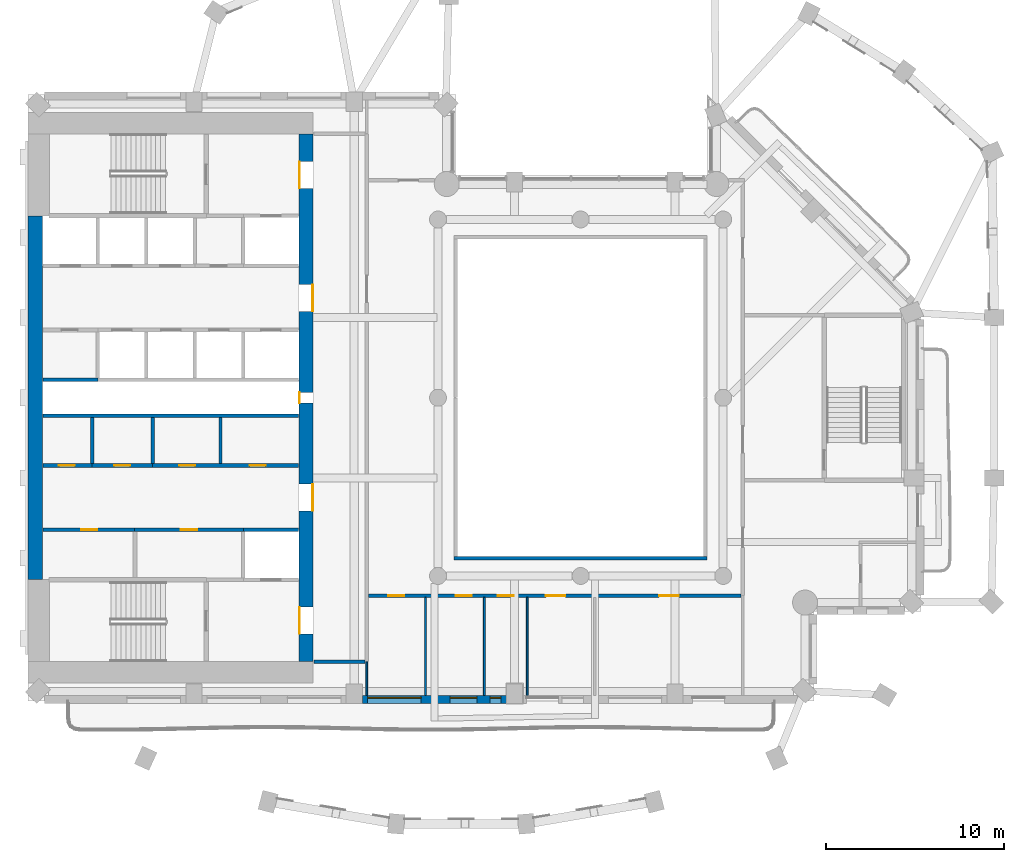
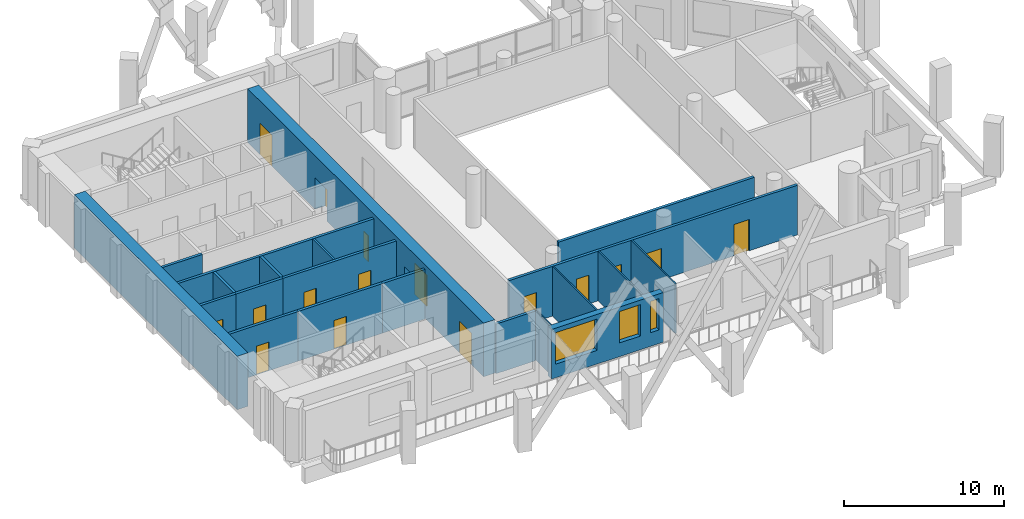
# One storey, part 4 of 15: 21 walls, 16 doors, 3 windows, 19 openings.
"""IFC4 building model written with IfcOpenShell, lengths in metres."""

from ifc_helpers import new_model, si_unit, direction, frame, frame_2d, origin, place, context, subcontext, project, spatial, rectangle, extrude, material, layer, layer_set, type_object, element, fill, save


model = new_model("IFC4")

# Units and contexts
model_context = context("Model", 3, precision=1e-05, world=origin(), true_north=direction((0.0, 1.0)))
body_context = subcontext(model_context, "Body", "Model", "MODEL_VIEW")
ifc_project = project(units=[si_unit("LENGTHUNIT", "METRE"), si_unit("AREAUNIT", "SQUARE_METRE"), si_unit("VOLUMEUNIT", "CUBIC_METRE"), si_unit("PLANEANGLEUNIT", "RADIAN"), si_unit("MASSUNIT", "GRAM", prefix="KILO")], contexts=[model_context])

# Site, building, storey
site_placement = place(None, origin())
site = spatial("IfcSite", under=ifc_project, at=site_placement, CompositionType="ELEMENT")
building_placement = place(site_placement, origin())
building = spatial("IfcBuilding", under=site, at=building_placement, Name="Cypress Arch Tower", CompositionType="ELEMENT")
storey_placement = place(building_placement, frame((0.0, 0.0, 193.300048828125)))
storey = spatial("IfcBuildingStorey", under=building, at=storey_placement, Name="L42", CompositionType="ELEMENT", Elevation=193.300048828125)

# Wall, openings, windows
ifc_material_1 = material(Name="Brick (red buff blend)", Category="masonry")
ifc_layer_1 = layer(ifc_material_1, 0.449951171875)
ifc_layer_set_1 = layer_set([ifc_layer_1], Name="Brick pier and spandrel wall BW450")
wall_type_1 = type_object("IfcWallType", Name="Brick pier and spandrel wall BW450", PredefinedType="SOLIDWALL", material=ifc_layer_set_1)
wall_1_placement = place(storey_placement, frame((-11.25, -16.925048828125, 0.0), z_axis=(0.0, 0.0, 1.0), x_axis=(1.0, 0.0, 0.0)))
wall_1 = element("IfcWall", 1, at=wall_1_placement, inside=storey, type_object=wall_type_1, Name="Brick wall L42 B01.2", PredefinedType="SOLIDWALL", context=body_context, shape_type="SweptSolid", body=[
    extrude(rectangle(XDim=8.10009765625, YDim=0.449951171875, at=frame_2d((4.050048828125, 0.0))), origin(), (0.0, 0.0, 1.0), 3.800048828125),
])
opening_1_placement = place(wall_1_placement, frame((0.300048828125, 0.0, 1.050048828125)))
opening_1 = element("IfcOpeningElement", 2, at=opening_1_placement, cuts=wall_1, Name="Opening W300OD", PredefinedType="OPENING", context=body_context, shape_type="SweptSolid", body=[
    extrude(rectangle(XDim=3.0, YDim=2.39990234375, at=frame_2d((1.5, 1.199951171875))), frame((0.0, 0.23486328125, 0.0), z_axis=(0.0, -1.0, 0.0), x_axis=(1.0, 0.0, 0.0)), (0.0, 0.0, 1.0), 0.469970703125),
])
opening_2_placement = place(wall_1_placement, frame((4.925048828125, 0.0, 1.050048828125)))
opening_2 = element("IfcOpeningElement", 3, at=opening_2_placement, cuts=wall_1, Name="Opening W150OD", PredefinedType="OPENING", context=body_context, shape_type="SweptSolid", body=[
    extrude(rectangle(XDim=1.5, YDim=2.39990234375, at=frame_2d((0.75, 1.199951171875))), frame((0.0, 0.23486328125, 0.0), z_axis=(0.0, -1.0, 0.0), x_axis=(1.0, 0.0, 0.0)), (0.0, 0.0, 1.0), 0.469970703125),
])
opening_3_placement = place(wall_1_placement, frame((7.175048828125, 0.0, 1.050048828125)))
opening_3 = element("IfcOpeningElement", 4, at=opening_3_placement, cuts=wall_1, Name="Opening W060OD", PredefinedType="OPENING", context=body_context, shape_type="SweptSolid", body=[
    extrude(rectangle(XDim=0.60009765625, YDim=2.39990234375, at=frame_2d((0.300048828125, 1.199951171875))), frame((0.0, 0.23486328125, 0.0), z_axis=(0.0, -1.0, 0.0), x_axis=(1.0, 0.0, 0.0)), (0.0, 0.0, 1.0), 0.469970703125),
])
ifc_material_2 = material(Name="Anodised aluminium, bronze finish, laminated low-emissivity double glazing, large-missile impact rated", Category="aluminium")
window_type_1 = type_object("IfcWindowType", Name="Window Office 1500x2400 debris-rated", PartitioningType="SINGLE_PANEL", PredefinedType="WINDOW", material=ifc_material_2)
window_1_placement = place(opening_2_placement, origin())
window_1 = element("IfcWindow", 5, at=window_1_placement, inside=storey, type_object=window_type_1, Name="Window L42 B01.2.2", OverallHeight=2.39990234375, OverallWidth=1.5, PartitioningType="SINGLE_PANEL", PredefinedType="WINDOW", context=body_context, shape_type="SweptSolid", body=[
    extrude(rectangle(XDim=1.5, YDim=2.39990234375, at=frame_2d((0.75, 1.199951171875))), frame((0.0, 0.135009765625, 0.0), z_axis=(0.0, -1.0, 0.0), x_axis=(1.0, 0.0, 0.0)), (0.0, 0.0, 1.0), 0.06005859375),
])
fill(opening_2, window_1)
ifc_material_3 = material(Name="Anodised aluminium, bronze finish, laminated low-emissivity double glazing, large-missile impact rated", Category="aluminium")
window_type_2 = type_object("IfcWindowType", Name="Window Office 3000x2400 debris-rated", PartitioningType="SINGLE_PANEL", PredefinedType="WINDOW", material=ifc_material_3)
window_2_placement = place(opening_1_placement, origin())
window_2 = element("IfcWindow", 6, at=window_2_placement, inside=storey, type_object=window_type_2, Name="Window L42 B01.2.1", OverallHeight=2.39990234375, OverallWidth=3.0, PartitioningType="SINGLE_PANEL", PredefinedType="WINDOW", context=body_context, shape_type="SweptSolid", body=[
    extrude(rectangle(XDim=3.0, YDim=2.39990234375, at=frame_2d((1.5, 1.199951171875))), frame((0.0, 0.135009765625, 0.0), z_axis=(0.0, -1.0, 0.0), x_axis=(1.0, 0.0, 0.0)), (0.0, 0.0, 1.0), 0.06005859375),
])
fill(opening_1, window_2)
ifc_material_4 = material(Name="Anodised aluminium, bronze finish, laminated low-emissivity double glazing, large-missile impact rated", Category="aluminium")
window_type_3 = type_object("IfcWindowType", Name="Window Office 600x2400 debris-rated", PartitioningType="SINGLE_PANEL", PredefinedType="WINDOW", material=ifc_material_4)
window_3_placement = place(opening_3_placement, origin())
window_3 = element("IfcWindow", 7, at=window_3_placement, inside=storey, type_object=window_type_3, Name="Window L42 B01.2.2b", OverallHeight=2.39990234375, OverallWidth=0.60009765625, PartitioningType="SINGLE_PANEL", PredefinedType="WINDOW", context=body_context, shape_type="SweptSolid", body=[
    extrude(rectangle(XDim=0.60009765625, YDim=2.39990234375, at=frame_2d((0.300048828125, 1.199951171875))), frame((0.0, 0.135009765625, 0.0), z_axis=(0.0, -1.0, 0.0), x_axis=(1.0, 0.0, 0.0)), (0.0, 0.0, 1.0), 0.06005859375),
])
fill(opening_3, window_3)

# Wall, openings, doors
ifc_material_5 = material(Name="Concrete C70/85", Category="concrete")
ifc_layer_2 = layer(ifc_material_5, 0.800048828125)
ifc_layer_set_2 = layer_set([ifc_layer_2], Name="Core wall CW800 C70/85")
wall_type_2 = type_object("IfcWallType", Name="Core wall CW800 C70/85", PredefinedType="SHEAR", material=ifc_layer_set_2)
wall_2_placement = place(storey_placement, frame((-14.39990234375, -14.800048828125, 0.0), z_axis=(0.0, 0.0, 1.0), x_axis=(0.0, 1.0, 0.0)))
wall_2 = element("IfcWall", 8, at=wall_2_placement, inside=storey, type_object=wall_type_2, Name="Core wall", PredefinedType="SHEAR", context=body_context, shape_type="SweptSolid", body=[
    extrude(rectangle(XDim=29.60009765625, YDim=0.800048828125, at=frame_2d((14.800048828125, 0.0))), origin(), (0.0, 0.0, 1.0), 4.099853515625),
])
opening_4_placement = place(wall_2_placement, frame((1.550048828125, 0.0, 0.0)))
opening_4 = element("IfcOpeningElement", 9, at=opening_4_placement, cuts=wall_2, Name="Opening D07", PredefinedType="OPENING", context=body_context, shape_type="SweptSolid", body=[
    extrude(rectangle(XDim=1.5, YDim=2.39990234375, at=frame_2d((0.75, 1.199951171875))), frame((0.0, 0.409912109375, 0.0), z_axis=(0.0, -1.0, 0.0), x_axis=(1.0, 0.0, 0.0)), (0.0, 0.0, 1.0), 0.820068359375),
])
opening_5_placement = place(wall_2_placement, frame((26.550048828125, 0.0, 0.0)))
opening_5 = element("IfcOpeningElement", 10, at=opening_5_placement, cuts=wall_2, Name="Opening D07", PredefinedType="OPENING", context=body_context, shape_type="SweptSolid", body=[
    extrude(rectangle(XDim=1.5, YDim=2.39990234375, at=frame_2d((0.75, 1.199951171875))), frame((0.0, 0.409912109375, 0.0), z_axis=(0.0, -1.0, 0.0), x_axis=(1.0, 0.0, 0.0)), (0.0, 0.0, 1.0), 0.820068359375),
])
opening_6_placement = place(wall_2_placement, frame((8.449951171875, 0.0, 0.0)))
opening_6 = element("IfcOpeningElement", 11, at=opening_6_placement, cuts=wall_2, Name="Opening D07", PredefinedType="OPENING", context=body_context, shape_type="SweptSolid", body=[
    extrude(rectangle(XDim=1.5, YDim=2.39990234375, at=frame_2d((0.75, 1.199951171875))), frame((0.0, 0.409912109375, 0.0), z_axis=(0.0, -1.0, 0.0), x_axis=(1.0, 0.0, 0.0)), (0.0, 0.0, 1.0), 0.820068359375),
])
opening_7_placement = place(wall_2_placement, frame((19.64990234375, 0.0, 0.0)))
opening_7 = element("IfcOpeningElement", 12, at=opening_7_placement, cuts=wall_2, Name="Opening D07", PredefinedType="OPENING", context=body_context, shape_type="SweptSolid", body=[
    extrude(rectangle(XDim=1.5, YDim=2.39990234375, at=frame_2d((0.75, 1.199951171875))), frame((0.0, 0.409912109375, 0.0), z_axis=(0.0, -1.0, 0.0), x_axis=(1.0, 0.0, 0.0)), (0.0, 0.0, 1.0), 0.820068359375),
])
opening_8_placement = place(wall_2_placement, frame((14.5, 0.0, 0.0)))
opening_8 = element("IfcOpeningElement", 13, at=opening_8_placement, cuts=wall_2, Name="Opening D08", PredefinedType="OPENING", context=body_context, shape_type="SweptSolid", body=[
    extrude(rectangle(XDim=0.60009765625, YDim=2.0, at=frame_2d((0.300048828125, 1.0))), frame((0.0, 0.409912109375, 0.0), z_axis=(0.0, -1.0, 0.0), x_axis=(1.0, 0.0, 0.0)), (0.0, 0.0, 1.0), 0.820068359375),
])
ifc_material_6 = material(Name="Steel framed glazed door, fire resisting", Category="steel")
door_type_1 = type_object("IfcDoorType", Name="Lobby door D07 1500x2400", OperationType="DOUBLE_DOOR_SINGLE_SWING", PredefinedType="DOOR", material=ifc_material_6)
door_1_placement = place(opening_4_placement, origin())
door_1 = element("IfcDoor", 14, at=door_1_placement, inside=storey, type_object=door_type_1, Name="Lobby door", OperationType="DOUBLE_DOOR_SINGLE_SWING", OverallHeight=2.39990234375, OverallWidth=1.5, PredefinedType="DOOR", context=body_context, shape_type="SweptSolid", body=[
    extrude(rectangle(XDim=1.5, YDim=2.39990234375, at=frame_2d((0.75, 1.199951171875))), frame((0.0, 0.39501953125, 0.0), z_axis=(0.0, -1.0, 0.0), x_axis=(1.0, 0.0, 0.0)), (0.0, 0.0, 1.0), 0.050048828125),
])
fill(opening_4, door_1)
door_2_placement = place(opening_5_placement, origin())
door_2 = element("IfcDoor", 15, at=door_2_placement, inside=storey, type_object=door_type_1, Name="Lobby door", OperationType="DOUBLE_DOOR_SINGLE_SWING", OverallHeight=2.39990234375, OverallWidth=1.5, PredefinedType="DOOR", context=body_context, shape_type="SweptSolid", body=[
    extrude(rectangle(XDim=1.5, YDim=2.39990234375, at=frame_2d((0.75, 1.199951171875))), frame((0.0, 0.39501953125, 0.0), z_axis=(0.0, -1.0, 0.0), x_axis=(1.0, 0.0, 0.0)), (0.0, 0.0, 1.0), 0.050048828125),
])
fill(opening_5, door_2)
door_3_placement = place(opening_6_placement, origin())
door_3 = element("IfcDoor", 16, at=door_3_placement, inside=storey, type_object=door_type_1, Name="Lobby door", OperationType="DOUBLE_DOOR_SINGLE_SWING", OverallHeight=2.39990234375, OverallWidth=1.5, PredefinedType="DOOR", context=body_context, shape_type="SweptSolid", body=[
    extrude(rectangle(XDim=1.5, YDim=2.39990234375, at=frame_2d((0.75, 1.199951171875))), frame((0.0, -0.34521484375, 0.0), z_axis=(0.0, -1.0, 0.0), x_axis=(1.0, 0.0, 0.0)), (0.0, 0.0, 1.0), 0.050048828125),
])
fill(opening_6, door_3)
door_4_placement = place(opening_7_placement, origin())
door_4 = element("IfcDoor", 17, at=door_4_placement, inside=storey, type_object=door_type_1, Name="Lobby door", OperationType="DOUBLE_DOOR_SINGLE_SWING", OverallHeight=2.39990234375, OverallWidth=1.5, PredefinedType="DOOR", context=body_context, shape_type="SweptSolid", body=[
    extrude(rectangle(XDim=1.5, YDim=2.39990234375, at=frame_2d((0.75, 1.199951171875))), frame((0.0, -0.34521484375, 0.0), z_axis=(0.0, -1.0, 0.0), x_axis=(1.0, 0.0, 0.0)), (0.0, 0.0, 1.0), 0.050048828125),
])
fill(opening_7, door_4)
ifc_material_7 = material(Name="Steel access door, fire resisting", Category="steel")
door_type_2 = type_object("IfcDoorType", Name="Riser access door D08 600x2000", OperationType="SINGLE_SWING_LEFT", PredefinedType="DOOR", material=ifc_material_7)
door_5_placement = place(opening_8_placement, origin())
door_5 = element("IfcDoor", 18, at=door_5_placement, inside=storey, type_object=door_type_2, Name="Riser access door", OperationType="SINGLE_SWING_RIGHT", OverallHeight=2.0, OverallWidth=0.60009765625, PredefinedType="DOOR", context=body_context, shape_type="SweptSolid", body=[
    extrude(rectangle(XDim=0.60009765625, YDim=2.0, at=frame_2d((0.300048828125, 1.0))), frame((0.0, 0.39501953125, 0.0), z_axis=(0.0, -1.0, 0.0), x_axis=(1.0, 0.0, 0.0)), (0.0, 0.0, 1.0), 0.050048828125),
])
fill(opening_8, door_5)

# Wall
wall_3_placement = place(storey_placement, frame((-29.60009765625, -10.199951171875, 0.0), z_axis=(0.0, 0.0, 1.0), x_axis=(0.0, 1.0, 0.0)))
element("IfcWall", 19, at=wall_3_placement, inside=storey, type_object=wall_type_2, Name="Core wall", PredefinedType="SHEAR", context=body_context, shape_type="SweptSolid", body=[
    extrude(rectangle(XDim=20.39990234375, YDim=0.800048828125, at=frame_2d((10.199951171875, 0.0))), origin(), (0.0, 0.0, 1.0), 4.099853515625),
])

# Wall, opening, door
ifc_material_8 = material(Name="Concrete blockwork, plastered, rated", Category="masonry")
ifc_layer_3 = layer(ifc_material_8, 0.199951171875)
ifc_layer_set_3 = layer_set([ifc_layer_3], Name="Corridor wall FW200")
wall_type_3 = type_object("IfcWallType", Name="Corridor wall FW200", PredefinedType="PARTITIONING", material=ifc_layer_set_3)
wall_4_placement = place(storey_placement, frame((-29.169921875, -7.39990234375, 0.0), z_axis=(0.0, 0.0, 1.0), x_axis=(1.0, 0.0, 0.0)))
wall_4 = element("IfcWall", 20, at=wall_4_placement, inside=storey, type_object=wall_type_3, Name="Corridor wall", PredefinedType="PARTITIONING", context=body_context, shape_type="SweptSolid", body=[
    extrude(rectangle(XDim=5.14990234375, YDim=0.199951171875, at=frame_2d((2.574951171875, 0.0))), origin(), (0.0, 0.0, 1.0), 3.800048828125),
])
opening_9_placement = place(wall_4_placement, frame((2.14990234375, 0.0, 0.0)))
opening_9 = element("IfcOpeningElement", 21, at=opening_9_placement, cuts=wall_4, Name="Opening D05", PredefinedType="OPENING", context=body_context, shape_type="SweptSolid", body=[
    extrude(rectangle(XDim=0.89990234375, YDim=2.199951171875, at=frame_2d((0.449951171875, 1.10009765625))), frame((0.0, 0.10986328125, 0.0), z_axis=(0.0, -1.0, 0.0), x_axis=(1.0, 0.0, 0.0)), (0.0, 0.0, 1.0), 0.219970703125),
])
ifc_material_9 = material(Name="Timber flush door", Category="wood")
door_type_3 = type_object("IfcDoorType", Name="Service door D05 900x2200", OperationType="SINGLE_SWING_LEFT", PredefinedType="DOOR", material=ifc_material_9)
door_6_placement = place(opening_9_placement, origin())
door_6 = element("IfcDoor", 22, at=door_6_placement, inside=storey, type_object=door_type_3, Name="Service door", OperationType="SINGLE_SWING_LEFT", OverallHeight=2.199951171875, OverallWidth=0.89990234375, PredefinedType="DOOR", context=body_context, shape_type="SweptSolid", body=[
    extrude(rectangle(XDim=0.89990234375, YDim=2.199951171875, at=frame_2d((0.449951171875, 1.10009765625))), frame((0.0, 0.02490234375, 0.0), z_axis=(0.0, -1.0, 0.0), x_axis=(1.0, 0.0, 0.0)), (0.0, 0.0, 1.0), 0.050048828125),
])
fill(opening_9, door_6)

wall_5_placement = place(storey_placement, frame((-29.169921875, -3.800048828125, 0.0), z_axis=(0.0, 0.0, 1.0), x_axis=(1.0, 0.0, 0.0)))
wall_5 = element("IfcWall", 23, at=wall_5_placement, inside=storey, type_object=wall_type_3, Name="Corridor wall", PredefinedType="PARTITIONING", context=body_context, shape_type="SweptSolid", body=[
    extrude(rectangle(XDim=2.75, YDim=0.199951171875, at=frame_2d((1.375, 0.0))), origin(), (0.0, 0.0, 1.0), 3.800048828125),
])
opening_10_placement = place(wall_5_placement, frame((0.89990234375, 0.0, 0.0)))
opening_10 = element("IfcOpeningElement", 24, at=opening_10_placement, cuts=wall_5, Name="Opening D05", PredefinedType="OPENING", context=body_context, shape_type="SweptSolid", body=[
    extrude(rectangle(XDim=0.89990234375, YDim=2.199951171875, at=frame_2d((0.449951171875, 1.10009765625))), frame((0.0, 0.10986328125, 0.0), z_axis=(0.0, -1.0, 0.0), x_axis=(1.0, 0.0, 0.0)), (0.0, 0.0, 1.0), 0.219970703125),
])
door_7_placement = place(opening_10_placement, origin())
door_7 = element("IfcDoor", 25, at=door_7_placement, inside=storey, type_object=door_type_3, Name="Service door", OperationType="SINGLE_SWING_RIGHT", OverallHeight=2.199951171875, OverallWidth=0.89990234375, PredefinedType="DOOR", context=body_context, shape_type="SweptSolid", body=[
    extrude(rectangle(XDim=0.89990234375, YDim=2.199951171875, at=frame_2d((0.449951171875, 1.10009765625))), frame((0.0, 0.02490234375, 0.0), z_axis=(0.0, -1.0, 0.0), x_axis=(1.0, 0.0, 0.0)), (0.0, 0.0, 1.0), 0.050048828125),
])
fill(opening_10, door_7)

# Wall, openings, doors
wall_6_placement = place(storey_placement, frame((-23.02001953125, -3.800048828125, 0.0), z_axis=(0.0, 0.0, 1.0), x_axis=(1.0, 0.0, 0.0)))
wall_6 = element("IfcWall", 26, at=wall_6_placement, inside=storey, type_object=wall_type_3, Name="Corridor wall", PredefinedType="PARTITIONING", context=body_context, shape_type="SweptSolid", body=[
    extrude(rectangle(XDim=8.18994140625, YDim=0.199951171875, at=frame_2d((4.094970703125, 0.0))), origin(), (0.0, 0.0, 1.0), 3.800048828125),
])
opening_11_placement = place(wall_6_placement, frame((1.5, 0.0, 0.0)))
opening_11 = element("IfcOpeningElement", 27, at=opening_11_placement, cuts=wall_6, Name="Opening D05", PredefinedType="OPENING", context=body_context, shape_type="SweptSolid", body=[
    extrude(rectangle(XDim=0.89990234375, YDim=2.199951171875, at=frame_2d((0.449951171875, 1.10009765625))), frame((0.0, 0.10986328125, 0.0), z_axis=(0.0, -1.0, 0.0), x_axis=(1.0, 0.0, 0.0)), (0.0, 0.0, 1.0), 0.219970703125),
])
opening_12_placement = place(wall_6_placement, frame((5.449951171875, 0.0, 0.0)))
opening_12 = element("IfcOpeningElement", 28, at=opening_12_placement, cuts=wall_6, Name="Opening D05", PredefinedType="OPENING", context=body_context, shape_type="SweptSolid", body=[
    extrude(rectangle(XDim=0.89990234375, YDim=2.199951171875, at=frame_2d((0.449951171875, 1.10009765625))), frame((0.0, 0.10986328125, 0.0), z_axis=(0.0, -1.0, 0.0), x_axis=(1.0, 0.0, 0.0)), (0.0, 0.0, 1.0), 0.219970703125),
])
door_8_placement = place(opening_11_placement, origin())
door_8 = element("IfcDoor", 29, at=door_8_placement, inside=storey, type_object=door_type_3, Name="Service door", OperationType="SINGLE_SWING_RIGHT", OverallHeight=2.199951171875, OverallWidth=0.89990234375, PredefinedType="DOOR", context=body_context, shape_type="SweptSolid", body=[
    extrude(rectangle(XDim=0.89990234375, YDim=2.199951171875, at=frame_2d((0.449951171875, 1.10009765625))), frame((0.0, 0.02490234375, 0.0), z_axis=(0.0, -1.0, 0.0), x_axis=(1.0, 0.0, 0.0)), (0.0, 0.0, 1.0), 0.050048828125),
])
fill(opening_11, door_8)
door_9_placement = place(opening_12_placement, origin())
door_9 = element("IfcDoor", 30, at=door_9_placement, inside=storey, type_object=door_type_3, Name="Service door", OperationType="SINGLE_SWING_LEFT", OverallHeight=2.199951171875, OverallWidth=0.89990234375, PredefinedType="DOOR", context=body_context, shape_type="SweptSolid", body=[
    extrude(rectangle(XDim=0.89990234375, YDim=2.199951171875, at=frame_2d((0.449951171875, 1.10009765625))), frame((0.0, 0.02490234375, 0.0), z_axis=(0.0, -1.0, 0.0), x_axis=(1.0, 0.0, 0.0)), (0.0, 0.0, 1.0), 0.050048828125),
])
fill(opening_12, door_9)

# Wall
wall_7_placement = place(storey_placement, frame((-13.969970703125, -14.800048828125, 0.0), z_axis=(0.0, 0.0, 1.0), x_axis=(1.0, 0.0, 0.0)))
element("IfcWall", 31, at=wall_7_placement, inside=storey, type_object=wall_type_3, Name="Corridor wall", PredefinedType="PARTITIONING", context=body_context, shape_type="SweptSolid", body=[
    extrude(rectangle(XDim=2.869873046875, YDim=0.199951171875, at=frame_2d((1.43505859375, 0.0))), origin(), (0.0, 0.0, 1.0), 3.800048828125),
])

# Wall, openings, doors
wall_8_placement = place(storey_placement, frame((-10.89990234375, -11.10009765625, 0.0), z_axis=(0.0, 0.0, 1.0), x_axis=(1.0, 0.0, 0.0)))
wall_8 = element("IfcWall", 32, at=wall_8_placement, inside=storey, type_object=wall_type_3, Name="Corridor wall", PredefinedType="PARTITIONING", context=body_context, shape_type="SweptSolid", body=[
    extrude(rectangle(XDim=20.89990234375, YDim=0.199951171875, at=frame_2d((10.449951171875, 0.0))), origin(), (0.0, 0.0, 1.0), 3.800048828125),
])
opening_13_placement = place(wall_8_placement, frame((1.10009765625, 0.0, 0.0)))
opening_13 = element("IfcOpeningElement", 33, at=opening_13_placement, cuts=wall_8, Name="Opening D03", PredefinedType="OPENING", context=body_context, shape_type="SweptSolid", body=[
    extrude(rectangle(XDim=0.89990234375, YDim=2.199951171875, at=frame_2d((0.449951171875, 1.10009765625))), frame((0.0, 0.10986328125, 0.0), z_axis=(0.0, -1.0, 0.0), x_axis=(1.0, 0.0, 0.0)), (0.0, 0.0, 1.0), 0.219970703125),
])
opening_14_placement = place(wall_8_placement, frame((4.89990234375, 0.0, 0.0)))
opening_14 = element("IfcOpeningElement", 34, at=opening_14_placement, cuts=wall_8, Name="Opening D03", PredefinedType="OPENING", context=body_context, shape_type="SweptSolid", body=[
    extrude(rectangle(XDim=0.89990234375, YDim=2.199951171875, at=frame_2d((0.449951171875, 1.10009765625))), frame((0.0, 0.10986328125, 0.0), z_axis=(0.0, -1.0, 0.0), x_axis=(1.0, 0.0, 0.0)), (0.0, 0.0, 1.0), 0.219970703125),
])
opening_15_placement = place(wall_8_placement, frame((7.25, 0.0, 0.0)))
opening_15 = element("IfcOpeningElement", 35, at=opening_15_placement, cuts=wall_8, Name="Opening D03", PredefinedType="OPENING", context=body_context, shape_type="SweptSolid", body=[
    extrude(rectangle(XDim=0.89990234375, YDim=2.199951171875, at=frame_2d((0.449951171875, 1.10009765625))), frame((0.0, 0.10986328125, 0.0), z_axis=(0.0, -1.0, 0.0), x_axis=(1.0, 0.0, 0.0)), (0.0, 0.0, 1.0), 0.219970703125),
])
opening_16_placement = place(wall_8_placement, frame((9.949951171875, 0.0, 0.0)))
opening_16 = element("IfcOpeningElement", 36, at=opening_16_placement, cuts=wall_8, Name="Opening D01", PredefinedType="OPENING", context=body_context, shape_type="SweptSolid", body=[
    extrude(rectangle(XDim=1.10009765625, YDim=2.39990234375, at=frame_2d((0.550048828125, 1.199951171875))), frame((0.0, 0.10986328125, 0.0), z_axis=(0.0, -1.0, 0.0), x_axis=(1.0, 0.0, 0.0)), (0.0, 0.0, 1.0), 0.219970703125),
])
opening_17_placement = place(wall_8_placement, frame((16.300048828125, 0.0, 0.0)))
opening_17 = element("IfcOpeningElement", 37, at=opening_17_placement, cuts=wall_8, Name="Opening D01", PredefinedType="OPENING", context=body_context, shape_type="SweptSolid", body=[
    extrude(rectangle(XDim=1.10009765625, YDim=2.39990234375, at=frame_2d((0.550048828125, 1.199951171875))), frame((0.0, 0.10986328125, 0.0), z_axis=(0.0, -1.0, 0.0), x_axis=(1.0, 0.0, 0.0)), (0.0, 0.0, 1.0), 0.219970703125),
])
ifc_material_10 = material(Name="Timber flush door, moisture resistant", Category="wood")
door_type_4 = type_object("IfcDoorType", Name="Bathroom door D03 900x2200", OperationType="SINGLE_SWING_LEFT", PredefinedType="DOOR", material=ifc_material_10)
door_10_placement = place(opening_13_placement, origin())
door_10 = element("IfcDoor", 38, at=door_10_placement, inside=storey, type_object=door_type_4, Name="Bathroom door", OperationType="SINGLE_SWING_RIGHT", OverallHeight=2.199951171875, OverallWidth=0.89990234375, PredefinedType="DOOR", context=body_context, shape_type="SweptSolid", body=[
    extrude(rectangle(XDim=0.89990234375, YDim=2.199951171875, at=frame_2d((0.449951171875, 1.10009765625))), frame((0.0, 0.02490234375, 0.0), z_axis=(0.0, -1.0, 0.0), x_axis=(1.0, 0.0, 0.0)), (0.0, 0.0, 1.0), 0.050048828125),
])
fill(opening_13, door_10)
door_11_placement = place(opening_14_placement, origin())
door_11 = element("IfcDoor", 39, at=door_11_placement, inside=storey, type_object=door_type_4, Name="Bathroom door", OperationType="SINGLE_SWING_LEFT", OverallHeight=2.199951171875, OverallWidth=0.89990234375, PredefinedType="DOOR", context=body_context, shape_type="SweptSolid", body=[
    extrude(rectangle(XDim=0.89990234375, YDim=2.199951171875, at=frame_2d((0.449951171875, 1.10009765625))), frame((0.0, 0.02490234375, 0.0), z_axis=(0.0, -1.0, 0.0), x_axis=(1.0, 0.0, 0.0)), (0.0, 0.0, 1.0), 0.050048828125),
])
fill(opening_14, door_11)
door_12_placement = place(opening_15_placement, origin())
door_12 = element("IfcDoor", 40, at=door_12_placement, inside=storey, type_object=door_type_4, Name="Bathroom door", OperationType="SINGLE_SWING_RIGHT", OverallHeight=2.199951171875, OverallWidth=0.89990234375, PredefinedType="DOOR", context=body_context, shape_type="SweptSolid", body=[
    extrude(rectangle(XDim=0.89990234375, YDim=2.199951171875, at=frame_2d((0.449951171875, 1.10009765625))), frame((0.0, 0.02490234375, 0.0), z_axis=(0.0, -1.0, 0.0), x_axis=(1.0, 0.0, 0.0)), (0.0, 0.0, 1.0), 0.050048828125),
])
fill(opening_15, door_12)
ifc_material_11 = material(Name="Timber flush door, fire resisting, self-closing", Category="wood")
door_type_5 = type_object("IfcDoorType", Name="Unit entrance door D01 1100x2400", OperationType="SINGLE_SWING_LEFT", PredefinedType="DOOR", material=ifc_material_11)
door_13_placement = place(opening_16_placement, origin())
door_13 = element("IfcDoor", 41, at=door_13_placement, inside=storey, type_object=door_type_5, Name="Unit entrance door", OperationType="SINGLE_SWING_RIGHT", OverallHeight=2.39990234375, OverallWidth=1.10009765625, PredefinedType="DOOR", context=body_context, shape_type="SweptSolid", body=[
    extrude(rectangle(XDim=1.10009765625, YDim=2.39990234375, at=frame_2d((0.550048828125, 1.199951171875))), frame((0.0, 0.02490234375, 0.0), z_axis=(0.0, -1.0, 0.0), x_axis=(1.0, 0.0, 0.0)), (0.0, 0.0, 1.0), 0.050048828125),
])
fill(opening_16, door_13)
door_14_placement = place(opening_17_placement, origin())
door_14 = element("IfcDoor", 42, at=door_14_placement, inside=storey, type_object=door_type_5, Name="Unit entrance door", OperationType="SINGLE_SWING_LEFT", OverallHeight=2.39990234375, OverallWidth=1.10009765625, PredefinedType="DOOR", context=body_context, shape_type="SweptSolid", body=[
    extrude(rectangle(XDim=1.10009765625, YDim=2.39990234375, at=frame_2d((0.550048828125, 1.199951171875))), frame((0.0, 0.02490234375, 0.0), z_axis=(0.0, -1.0, 0.0), x_axis=(1.0, 0.0, 0.0)), (0.0, 0.0, 1.0), 0.050048828125),
])
fill(opening_17, door_14)

# Walls
wall_9_placement = place(storey_placement, frame((-6.10009765625, -9.0, 0.0), z_axis=(0.0, 0.0, 1.0), x_axis=(1.0, 0.0, 0.0)))
element("IfcWall", 43, at=wall_9_placement, inside=storey, type_object=wall_type_3, Name="Corridor wall", PredefinedType="PARTITIONING", context=body_context, shape_type="SweptSolid", body=[
    extrude(rectangle(XDim=14.2001953125, YDim=0.199951171875, at=frame_2d((7.10009765625, 0.0))), origin(), (0.0, 0.0, 1.0), 3.800048828125),
])
ifc_material_12 = material(Name="Blockwork, plastered both sides", Category="masonry")
ifc_layer_4 = layer(ifc_material_12, 0.14990234375)
ifc_layer_set_4 = layer_set([ifc_layer_4], Name="Partition PW150")
wall_type_4 = type_object("IfcWallType", Name="Partition PW150", PredefinedType="PARTITIONING", material=ifc_layer_set_4)
wall_10_placement = place(storey_placement, frame((-19.199951171875, -3.699951171875, 0.0), z_axis=(0.0, 0.0, 1.0), x_axis=(0.0, 1.0, 0.0)))
element("IfcWall", 44, at=wall_10_placement, inside=storey, type_object=wall_type_4, Name="Partition", PredefinedType="PARTITIONING", context=body_context, shape_type="SweptSolid", body=[
    extrude(rectangle(XDim=2.599853515625, YDim=0.14990234375, at=frame_2d((1.2998046875, 0.0))), origin(), (0.0, 0.0, 1.0), 3.800048828125),
])
ifc_material_13 = material(Name="Reinforced blockwork, plastered, rated", Category="masonry")
ifc_layer_5 = layer(ifc_material_13, 0.199951171875)
ifc_layer_set_5 = layer_set([ifc_layer_5], Name="Plant and riser wall PL200")
wall_type_5 = type_object("IfcWallType", Name="Plant and riser wall PL200", PredefinedType="PARTITIONING", material=ifc_layer_set_5)
wall_11_placement = place(storey_placement, frame((-29.169921875, -1.0, 0.0), z_axis=(0.0, 0.0, 1.0), x_axis=(1.0, 0.0, 0.0)))
element("IfcWall", 45, at=wall_11_placement, inside=storey, type_object=wall_type_5, Name="Plant and riser wall", PredefinedType="PARTITIONING", context=body_context, shape_type="SweptSolid", body=[
    extrude(rectangle(XDim=14.33984375, YDim=0.199951171875, at=frame_2d((7.169921875, 0.0))), origin(), (0.0, 0.0, 1.0), 3.800048828125),
])
wall_12_placement = place(storey_placement, frame((-29.169921875, 1.0, 0.0), z_axis=(0.0, 0.0, 1.0), x_axis=(1.0, 0.0, 0.0)))
element("IfcWall", 46, at=wall_12_placement, inside=storey, type_object=wall_type_5, Name="Plant and riser wall", PredefinedType="PARTITIONING", context=body_context, shape_type="SweptSolid", body=[
    extrude(rectangle(XDim=3.08984375, YDim=0.199951171875, at=frame_2d((1.544921875, 0.0))), origin(), (0.0, 0.0, 1.0), 3.800048828125),
])

# Wall, opening, door
wall_13_placement = place(storey_placement, frame((-26.419921875, -3.800048828125, 0.0), z_axis=(0.0, 0.0, 1.0), x_axis=(1.0, 0.0, 0.0)))
wall_13 = element("IfcWall", 47, at=wall_13_placement, inside=storey, type_object=wall_type_5, Name="Plant and riser wall", PredefinedType="PARTITIONING", context=body_context, shape_type="SweptSolid", body=[
    extrude(rectangle(XDim=3.39990234375, YDim=0.199951171875, at=frame_2d((1.699951171875, 0.0))), origin(), (0.0, 0.0, 1.0), 3.800048828125),
])
opening_18_placement = place(wall_13_placement, frame((1.25, 0.0, 0.0)))
opening_18 = element("IfcOpeningElement", 48, at=opening_18_placement, cuts=wall_13, Name="Opening D05", PredefinedType="OPENING", context=body_context, shape_type="SweptSolid", body=[
    extrude(rectangle(XDim=0.89990234375, YDim=2.199951171875, at=frame_2d((0.449951171875, 1.10009765625))), frame((0.0, 0.10986328125, 0.0), z_axis=(0.0, -1.0, 0.0), x_axis=(1.0, 0.0, 0.0)), (0.0, 0.0, 1.0), 0.219970703125),
])
door_15_placement = place(opening_18_placement, origin())
door_15 = element("IfcDoor", 49, at=door_15_placement, inside=storey, type_object=door_type_3, Name="Service door", OperationType="SINGLE_SWING_LEFT", OverallHeight=2.199951171875, OverallWidth=0.89990234375, PredefinedType="DOOR", context=body_context, shape_type="SweptSolid", body=[
    extrude(rectangle(XDim=0.89990234375, YDim=2.199951171875, at=frame_2d((0.449951171875, 1.10009765625))), frame((0.0, 0.02490234375, 0.0), z_axis=(0.0, -1.0, 0.0), x_axis=(1.0, 0.0, 0.0)), (0.0, 0.0, 1.0), 0.050048828125),
])
fill(opening_18, door_15)

# Wall
wall_14_placement = place(storey_placement, frame((-26.39990234375, -3.699951171875, 0.0), z_axis=(0.0, 0.0, 1.0), x_axis=(0.0, 1.0, 0.0)))
element("IfcWall", 50, at=wall_14_placement, inside=storey, type_object=wall_type_5, Name="Plant and riser wall", PredefinedType="PARTITIONING", context=body_context, shape_type="SweptSolid", body=[
    extrude(rectangle(XDim=2.599853515625, YDim=0.199951171875, at=frame_2d((1.2998046875, 0.0))), origin(), (0.0, 0.0, 1.0), 3.800048828125),
])

# Wall, opening, door
wall_15_placement = place(storey_placement, frame((-24.02001953125, -7.39990234375, 0.0), z_axis=(0.0, 0.0, 1.0), x_axis=(1.0, 0.0, 0.0)))
wall_15 = element("IfcWall", 51, at=wall_15_placement, inside=storey, type_object=wall_type_5, Name="Plant and riser wall", PredefinedType="PARTITIONING", context=body_context, shape_type="SweptSolid", body=[
    extrude(rectangle(XDim=6.1201171875, YDim=0.199951171875, at=frame_2d((3.06005859375, 0.0))), origin(), (0.0, 0.0, 1.0), 3.800048828125),
])
opening_19_placement = place(wall_15_placement, frame((2.60009765625, 0.0, 0.0)))
opening_19 = element("IfcOpeningElement", 52, at=opening_19_placement, cuts=wall_15, Name="Opening D05", PredefinedType="OPENING", context=body_context, shape_type="SweptSolid", body=[
    extrude(rectangle(XDim=0.89990234375, YDim=2.199951171875, at=frame_2d((0.449951171875, 1.10009765625))), frame((0.0, 0.10986328125, 0.0), z_axis=(0.0, -1.0, 0.0), x_axis=(1.0, 0.0, 0.0)), (0.0, 0.0, 1.0), 0.219970703125),
])
door_16_placement = place(opening_19_placement, origin())
door_16 = element("IfcDoor", 53, at=door_16_placement, inside=storey, type_object=door_type_3, Name="Service door", OperationType="SINGLE_SWING_RIGHT", OverallHeight=2.199951171875, OverallWidth=0.89990234375, PredefinedType="DOOR", context=body_context, shape_type="SweptSolid", body=[
    extrude(rectangle(XDim=0.89990234375, YDim=2.199951171875, at=frame_2d((0.449951171875, 1.10009765625))), frame((0.0, 0.02490234375, 0.0), z_axis=(0.0, -1.0, 0.0), x_axis=(1.0, 0.0, 0.0)), (0.0, 0.0, 1.0), 0.050048828125),
])
fill(opening_19, door_16)

# Walls
wall_16_placement = place(storey_placement, frame((-23.0, -3.699951171875, 0.0), z_axis=(0.0, 0.0, 1.0), x_axis=(0.0, 1.0, 0.0)))
element("IfcWall", 54, at=wall_16_placement, inside=storey, type_object=wall_type_5, Name="Plant and riser wall", PredefinedType="PARTITIONING", context=body_context, shape_type="SweptSolid", body=[
    extrude(rectangle(XDim=2.599853515625, YDim=0.199951171875, at=frame_2d((1.2998046875, 0.0))), origin(), (0.0, 0.0, 1.0), 3.800048828125),
])
ifc_material_14 = material(Name="Concrete C50/60", Category="concrete")
ifc_layer_6 = layer(ifc_material_14, 0.199951171875)
ifc_layer_set_6 = layer_set([ifc_layer_6], Name="Shaft wall SH200")
wall_type_6 = type_object("IfcWallType", Name="Shaft wall SH200", PredefinedType="SHEAR", material=ifc_layer_set_6)
wall_17_placement = place(storey_placement, frame((-17.89990234375, -7.39990234375, 0.0), z_axis=(0.0, 0.0, 1.0), x_axis=(1.0, 0.0, 0.0)))
element("IfcWall", 55, at=wall_17_placement, inside=storey, type_object=wall_type_6, Name="Shaft wall", PredefinedType="SHEAR", context=body_context, shape_type="SweptSolid", body=[
    extrude(rectangle(XDim=3.06982421875, YDim=0.199951171875, at=frame_2d((1.534912109375, 0.0))), origin(), (0.0, 0.0, 1.0), 3.800048828125),
])
ifc_material_15 = material(Name="Moisture resistant board on steel studs, tiled", Category="steel")
ifc_layer_7 = layer(ifc_material_15, 0.10009765625)
ifc_layer_set_7 = layer_set([ifc_layer_7], Name="Wet wall PW100")
wall_type_7 = type_object("IfcWallType", Name="Wet wall PW100", PredefinedType="PARTITIONING", material=ifc_layer_set_7)
wall_18_placement = place(storey_placement, frame((-11.0, -16.699951171875, 0.0), z_axis=(0.0, 0.0, 1.0), x_axis=(0.0, 1.0, 0.0)))
element("IfcWall", 56, at=wall_18_placement, inside=storey, type_object=wall_type_7, Name="Wet wall", PredefinedType="PARTITIONING", context=body_context, shape_type="SweptSolid", body=[
    extrude(rectangle(XDim=1.8798828125, YDim=0.10009765625, at=frame_2d((0.93994140625, 0.0))), origin(), (0.0, 0.0, 1.0), 3.800048828125),
])
for number, where, z_axis, x_axis, name in (
    (57, (-7.699951171875, -16.699951171875, 0.0), (0.0, 0.0, 1.0), (0.0, 1.0, 0.0), "Wet wall"),
    (58, (-4.39990234375, -16.699951171875, 0.0), (0.0, 0.0, 1.0), (0.0, 1.0, 0.0), "Wet wall"),
    (59, (-2.0, -16.699951171875, 0.0), (0.0, 0.0, 1.0), (0.0, 1.0, 0.0), "Wet wall"),
):
    element("IfcWall", number, at=place(storey_placement, frame(where, z_axis=z_axis, x_axis=x_axis)), inside=storey, type_object=wall_type_7, Name=name, PredefinedType="PARTITIONING", context=body_context, shape_type="SweptSolid", body=[
        extrude(rectangle(XDim=5.5, YDim=0.10009765625, at=frame_2d((2.75, 0.0))), origin(), (0.0, 0.0, 1.0), 3.800048828125),
    ])

save(model, "model.ifc")
